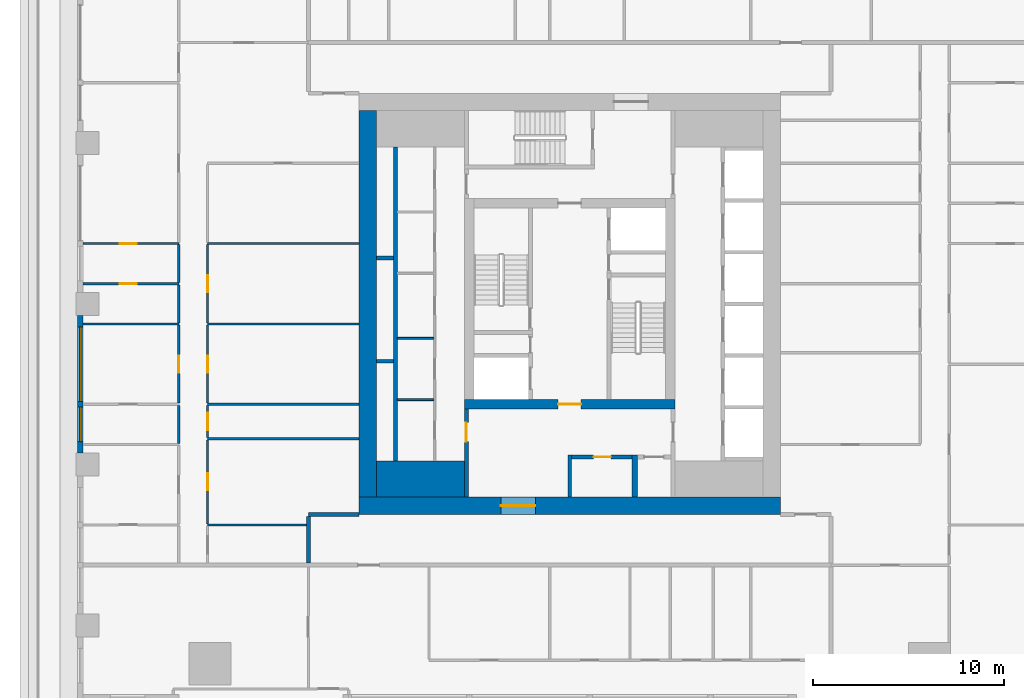
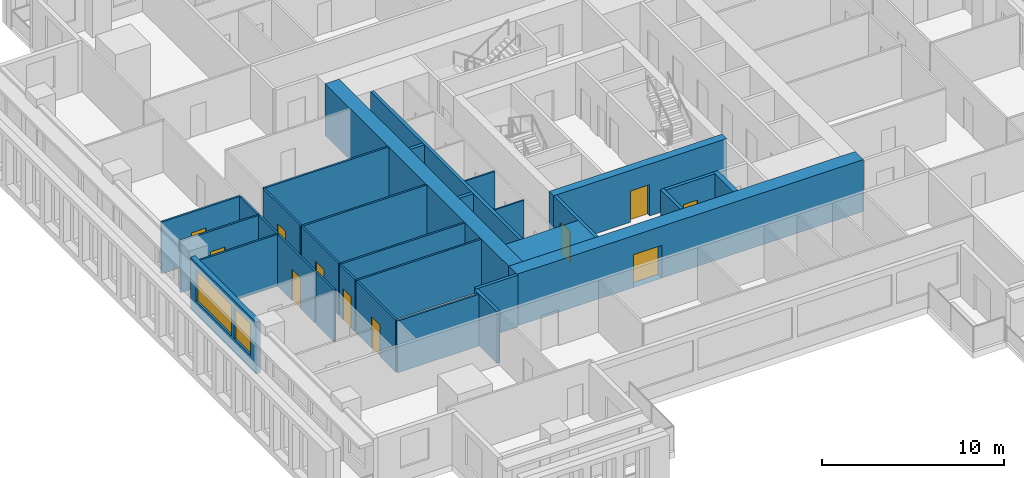
# One storey, part 3 of 14: 32 walls, 11 doors, 2 windows, 13 openings.
"""IFC4 building model written with IfcOpenShell, lengths in metres."""

from ifc_helpers import new_model, si_unit, direction, frame, frame_2d, origin, place, context, subcontext, project, spatial, rectangle, extrude, material, layer, layer_set, type_object, element, fill, save


model = new_model("IFC4")

# Units and contexts
model_context = context("Model", 3, precision=1e-05, world=origin(), true_north=direction((0.0, 1.0)))
body_context = subcontext(model_context, "Body", "Model", "MODEL_VIEW")
ifc_project = project(units=[si_unit("LENGTHUNIT", "METRE"), si_unit("AREAUNIT", "SQUARE_METRE"), si_unit("VOLUMEUNIT", "CUBIC_METRE"), si_unit("PLANEANGLEUNIT", "RADIAN"), si_unit("MASSUNIT", "GRAM", prefix="KILO")], contexts=[model_context])

# Site, building, storey
site_placement = place(None, origin())
site = spatial("IfcSite", under=ifc_project, at=site_placement, CompositionType="ELEMENT")
building_placement = place(site_placement, origin())
building = spatial("IfcBuilding", under=site, at=building_placement, Name="Khepri Terraces", CompositionType="ELEMENT")
storey_placement = place(building_placement, frame((0.0, 0.0, 271.800048828125)))
storey = spatial("IfcBuildingStorey", under=building, at=storey_placement, Name="L65", CompositionType="ELEMENT", Elevation=271.800048828125)

# Walls
ifc_material_1 = material(Name="Concrete C40/50", Category="concrete")
ifc_layer_1 = layer(ifc_material_1, 1.89990234375, Name="Concrete C40/50", Category="concrete")
ifc_layer_set_1 = layer_set([ifc_layer_1], Name="Concrete C40/50")
wall_type_1 = type_object("IfcWallType", Name="Core wall 1900 C40/50", PredefinedType="SHEAR", material=ifc_layer_set_1)
wall_1_placement = place(storey_placement, frame((-10.10009765625, -9.14990234375, 0.0), z_axis=(0.0, 0.0, 1.0), x_axis=(1.0, 0.0, 0.0)))
element("IfcWall", 1, at=wall_1_placement, inside=storey, type_object=wall_type_1, Name="Core wall PR01 L65", PredefinedType="SHEAR", context=body_context, shape_type="SweptSolid", body=[
    extrude(rectangle(XDim=4.60009765625, YDim=1.89990234375, at=frame_2d((2.300048828125, 0.0))), origin(), (0.0, 0.0, 1.0), 3.47998046875),
])
ifc_layer_2 = layer(ifc_material_1, 0.199951171875, Name="Concrete C40/50", Category="concrete")
ifc_layer_set_2 = layer_set([ifc_layer_2], Name="Concrete C40/50")
wall_type_2 = type_object("IfcWallType", Name="Core wall 200 C40/50", PredefinedType="SHEAR", material=ifc_layer_set_2)
wall_2_placement = place(storey_placement, frame((-9.10009765625, -8.199951171875, 0.0), z_axis=(0.0, 0.0, 1.0), x_axis=(0.0, 1.0, 0.0)))
element("IfcWall", 2, at=wall_2_placement, inside=storey, type_object=wall_type_2, Name="Core wall SH01 L65", PredefinedType="SHEAR", context=body_context, shape_type="SweptSolid", body=[
    extrude(rectangle(XDim=16.39990234375, YDim=0.199951171875, at=frame_2d((8.199951171875, 0.0))), origin(), (0.0, 0.0, 1.0), 3.47998046875),
])
for number, where, z_axis, x_axis, name in (
    (3, (-10.10009765625, -3.0, 0.0), (0.0, 0.0, 1.0), (1.0, 0.0, 0.0), "Core wall SH06 L65"),
    (4, (-10.10009765625, 2.39990234375, 0.0), (0.0, 0.0, 1.0), (1.0, 0.0, 0.0), "Core wall SH11 L65"),
):
    element("IfcWall", number, at=place(storey_placement, frame(where, z_axis=z_axis, x_axis=x_axis)), inside=storey, type_object=wall_type_2, Name=name, PredefinedType="SHEAR", context=body_context, shape_type="SweptSolid", body=[
        extrude(rectangle(XDim=0.900146484375, YDim=0.199951171875, at=frame_2d((0.4501953125, 0.0))), origin(), (0.0, 0.0, 1.0), 3.47998046875),
    ])

# Wall, opening, door
ifc_layer_3 = layer(ifc_material_1, 0.5, Name="Concrete C40/50", Category="concrete")
ifc_layer_set_3 = layer_set([ifc_layer_3], Name="Concrete C40/50")
wall_type_3 = type_object("IfcWallType", Name="Core wall 500 C40/50", PredefinedType="SHEAR", material=ifc_layer_set_3)
wall_3_placement = place(storey_placement, frame((-5.5, -5.25, 0.0), z_axis=(0.0, 0.0, 1.0), x_axis=(1.0, 0.0, 0.0)))
wall_3 = element("IfcWall", 5, at=wall_3_placement, inside=storey, type_object=wall_type_3, Name="Core wall BX01 L65", PredefinedType="SHEAR", context=body_context, shape_type="SweptSolid", body=[
    extrude(rectangle(XDim=11.0, YDim=0.5, at=frame_2d((5.5, 0.0))), origin(), (0.0, 0.0, 1.0), 3.47998046875),
])
opening_1_placement = place(wall_3_placement, frame((4.89990234375, 0.0, 0.0)))
opening_1 = element("IfcOpeningElement", 6, at=opening_1_placement, cuts=wall_3, Name="Opening L65-C14", PredefinedType="OPENING", context=body_context, shape_type="SweptSolid", body=[
    extrude(rectangle(XDim=1.199951171875, YDim=2.10009765625, at=frame_2d((0.60009765625, 1.050048828125))), frame((0.0, 0.260009765625, 0.0), z_axis=(0.0, -1.0, 0.0), x_axis=(1.0, 0.0, 0.0)), (0.0, 0.0, 1.0), 0.52001953125),
])
ifc_material_2 = material(Name="Painted steel", Category="steel")
door_type_1 = type_object("IfcDoorType", Name="DR-CORE-FF-LOBBY-1200", OperationType="NOTDEFINED", PredefinedType="DOOR", material=ifc_material_2)
door_1_placement = place(opening_1_placement, origin())
door_1 = element("IfcDoor", 7, at=door_1_placement, inside=storey, type_object=door_type_1, Name="Firefighting lobby door L65-C14", OperationType="SINGLE_SWING_RIGHT", OverallHeight=2.10009765625, OverallWidth=1.199951171875, PredefinedType="DOOR", context=body_context, shape_type="SweptSolid", body=[
    extrude(rectangle(XDim=1.199951171875, YDim=2.10009765625, at=frame_2d((0.60009765625, 1.050048828125))), frame((0.0, 0.02490234375, 0.0), z_axis=(0.0, -1.0, 0.0), x_axis=(1.0, 0.0, 0.0)), (0.0, 0.0, 1.0), 0.050048828125),
])
fill(opening_1, door_1)

ifc_layer_4 = layer(ifc_material_1, 0.89990234375, Name="Concrete C40/50", Category="concrete")
ifc_layer_set_4 = layer_set([ifc_layer_4], Name="Concrete C40/50")
wall_type_4 = type_object("IfcWallType", Name="Core wall 900 C40/50", PredefinedType="SHEAR", material=ifc_layer_set_4)
wall_4_placement = place(storey_placement, frame((-11.0, -10.550048828125, 0.0), z_axis=(0.0, 0.0, 1.0), x_axis=(1.0, 0.0, 0.0)))
wall_4 = element("IfcWall", 8, at=wall_4_placement, inside=storey, type_object=wall_type_4, Name="Core wall OW-S L65", PredefinedType="SHEAR", context=body_context, shape_type="SweptSolid", body=[
    extrude(rectangle(XDim=22.0, YDim=0.89990234375, at=frame_2d((11.0, 0.0))), origin(), (0.0, 0.0, 1.0), 3.47998046875),
])
opening_2_placement = place(wall_4_placement, frame((7.39990234375, 0.0, 0.0)))
opening_2 = element("IfcOpeningElement", 9, at=opening_2_placement, cuts=wall_4, Name="Opening L65-C21", PredefinedType="OPENING", context=body_context, shape_type="SweptSolid", body=[
    extrude(rectangle(XDim=1.800048828125, YDim=2.199951171875, at=frame_2d((0.89990234375, 1.10009765625))), frame((0.0, 0.4599609375, 0.0), z_axis=(0.0, -1.0, 0.0), x_axis=(1.0, 0.0, 0.0)), (0.0, 0.0, 1.0), 0.919921875),
])
door_type_2 = type_object("IfcDoorType", Name="DR-CORE-ENTRANCE-1800", OperationType="NOTDEFINED", PredefinedType="DOOR", material=ifc_material_2)
door_2_placement = place(opening_2_placement, frame((1.800048828125, 0.0, 0.0), z_axis=(0.0, 0.0, 1.0), x_axis=(-1.0, 0.0, 0.0)))
door_2 = element("IfcDoor", 10, at=door_2_placement, inside=storey, type_object=door_type_2, Name="Core entrance door pair L65-C21", OperationType="DOUBLE_DOOR_SINGLE_SWING", OverallHeight=2.199951171875, OverallWidth=1.800048828125, PredefinedType="DOOR", context=body_context, shape_type="SweptSolid", body=[
    extrude(rectangle(XDim=1.800048828125, YDim=2.199951171875, at=frame_2d((0.89990234375, 1.10009765625))), frame((0.0, 0.02490234375, 0.0), z_axis=(0.0, -1.0, 0.0), x_axis=(1.0, 0.0, 0.0)), (0.0, 0.0, 1.0), 0.050048828125),
])
fill(opening_2, door_2)

# Walls
wall_5_placement = place(storey_placement, frame((-10.550048828125, -10.10009765625, 0.0), z_axis=(0.0, 0.0, 1.0), x_axis=(0.0, 1.0, 0.0)))
element("IfcWall", 11, at=wall_5_placement, inside=storey, type_object=wall_type_4, Name="Core wall OW-W L65", PredefinedType="SHEAR", context=body_context, shape_type="SweptSolid", body=[
    extrude(rectangle(XDim=20.2001953125, YDim=0.89990234375, at=frame_2d((10.10009765625, 0.0))), origin(), (0.0, 0.0, 1.0), 3.47998046875),
])
ifc_material_3 = material(Name="Fire-rated gypsum board partition")
ifc_layer_5 = layer(ifc_material_3, 0.10009765625, Name="Fire-rated gypsum board partition")
ifc_layer_set_5 = layer_set([ifc_layer_5], Name="Fire-rated gypsum board partition")
wall_type_5 = type_object("IfcWallType", Name="WL-CORE-PART-100", PredefinedType="PARTITIONING", material=ifc_layer_set_5)
for number, where, z_axis, x_axis, name in (
    (12, (-9.0, -5.0, 0.0), (0.0, 0.0, 1.0), (1.0, 0.0, 0.0), "Core partition PT08 L65"),
    (13, (-9.0, -1.800048828125, 0.0), (0.0, 0.0, 1.0), (1.0, 0.0, 0.0), "Core partition PT09 L65"),
):
    element("IfcWall", number, at=place(storey_placement, frame(where, z_axis=z_axis, x_axis=x_axis)), inside=storey, type_object=wall_type_5, Name=name, PredefinedType="PARTITIONING", context=body_context, shape_type="SweptSolid", body=[
        extrude(rectangle(XDim=1.89990234375, YDim=0.10009765625, at=frame_2d((0.949951171875, 0.0))), origin(), (0.0, 0.0, 1.0), 3.47998046875),
    ])

# Wall, opening, door
ifc_layer_6 = layer(ifc_material_3, 0.199951171875, Name="Fire-rated gypsum board partition")
ifc_layer_set_6 = layer_set([ifc_layer_6], Name="Fire-rated gypsum board partition")
wall_type_6 = type_object("IfcWallType", Name="WL-CORE-PART-200", PredefinedType="PARTITIONING", material=ifc_layer_set_6)
wall_6_placement = place(storey_placement, frame((-5.39990234375, -10.10009765625, 0.0), z_axis=(0.0, 0.0, 1.0), x_axis=(0.0, 1.0, 0.0)))
wall_6 = element("IfcWall", 14, at=wall_6_placement, inside=storey, type_object=wall_type_6, Name="Core partition PT01 L65", PredefinedType="PARTITIONING", context=body_context, shape_type="SweptSolid", body=[
    extrude(rectangle(XDim=4.60009765625, YDim=0.199951171875, at=frame_2d((2.300048828125, 0.0))), origin(), (0.0, 0.0, 1.0), 3.47998046875),
])
opening_3_placement = place(wall_6_placement, frame((2.89990234375, 0.0, 0.0)))
opening_3 = element("IfcOpeningElement", 15, at=opening_3_placement, cuts=wall_6, Name="Opening L65-C18", PredefinedType="OPENING", context=body_context, shape_type="SweptSolid", body=[
    extrude(rectangle(XDim=1.0, YDim=2.10009765625, at=frame_2d((0.5, 1.050048828125))), frame((0.0, 0.10986328125, 0.0), z_axis=(0.0, -1.0, 0.0), x_axis=(1.0, 0.0, 0.0)), (0.0, 0.0, 1.0), 0.219970703125),
])
door_type_3 = type_object("IfcDoorType", Name="DR-CORE-LOBBY-1000", OperationType="NOTDEFINED", PredefinedType="DOOR", material=ifc_material_2)
door_3_placement = place(opening_3_placement, frame((1.0, 0.0, 0.0), z_axis=(0.0, 0.0, 1.0), x_axis=(-1.0, 0.0, 0.0)))
door_3 = element("IfcDoor", 16, at=door_3_placement, inside=storey, type_object=door_type_3, Name="Lobby door L65-C18", OperationType="SINGLE_SWING_LEFT", OverallHeight=2.10009765625, OverallWidth=1.0, PredefinedType="DOOR", context=body_context, shape_type="SweptSolid", body=[
    extrude(rectangle(XDim=1.0, YDim=2.10009765625, at=frame_2d((0.5, 1.050048828125))), frame((0.0, 0.02490234375, 0.0), z_axis=(0.0, -1.0, 0.0), x_axis=(1.0, 0.0, 0.0)), (0.0, 0.0, 1.0), 0.050048828125),
])
fill(opening_3, door_3)

# Wall
wall_7_placement = place(storey_placement, frame((0.0, -10.10009765625, 0.0), z_axis=(0.0, 0.0, 1.0), x_axis=(0.0, 1.0, 0.0)))
element("IfcWall", 17, at=wall_7_placement, inside=storey, type_object=wall_type_6, Name="Core partition PT02 L65", PredefinedType="PARTITIONING", context=body_context, shape_type="SweptSolid", body=[
    extrude(rectangle(XDim=2.2001953125, YDim=0.199951171875, at=frame_2d((1.10009765625, 0.0))), origin(), (0.0, 0.0, 1.0), 3.47998046875),
])

# Wall, opening, door
wall_8_placement = place(storey_placement, frame((0.10009765625, -8.0, 0.0), z_axis=(0.0, 0.0, 1.0), x_axis=(1.0, 0.0, 0.0)))
wall_8 = element("IfcWall", 18, at=wall_8_placement, inside=storey, type_object=wall_type_6, Name="Core partition PT06 L65", PredefinedType="PARTITIONING", context=body_context, shape_type="SweptSolid", body=[
    extrude(rectangle(XDim=3.14990234375, YDim=0.199951171875, at=frame_2d((1.574951171875, 0.0))), origin(), (0.0, 0.0, 1.0), 3.47998046875),
])
opening_4_placement = place(wall_8_placement, frame((1.14990234375, 0.0, 0.0)))
opening_4 = element("IfcOpeningElement", 19, at=opening_4_placement, cuts=wall_8, Name="Opening L65-C22", PredefinedType="OPENING", context=body_context, shape_type="SweptSolid", body=[
    extrude(rectangle(XDim=0.89990234375, YDim=2.10009765625, at=frame_2d((0.449951171875, 1.050048828125))), frame((0.0, 0.10986328125, 0.0), z_axis=(0.0, -1.0, 0.0), x_axis=(1.0, 0.0, 0.0)), (0.0, 0.0, 1.0), 0.219970703125),
])
door_type_4 = type_object("IfcDoorType", Name="DR-CORE-SERVICE-900", OperationType="NOTDEFINED", PredefinedType="DOOR", material=ifc_material_2)
door_4_placement = place(opening_4_placement, frame((0.89990234375, 0.0, 0.0), z_axis=(0.0, 0.0, 1.0), x_axis=(-1.0, 0.0, 0.0)))
door_4 = element("IfcDoor", 20, at=door_4_placement, inside=storey, type_object=door_type_4, Name="Service room door L65-C22", OperationType="SINGLE_SWING_LEFT", OverallHeight=2.10009765625, OverallWidth=0.89990234375, PredefinedType="DOOR", context=body_context, shape_type="SweptSolid", body=[
    extrude(rectangle(XDim=0.89990234375, YDim=2.10009765625, at=frame_2d((0.449951171875, 1.050048828125))), frame((0.0, 0.02490234375, 0.0), z_axis=(0.0, -1.0, 0.0), x_axis=(1.0, 0.0, 0.0)), (0.0, 0.0, 1.0), 0.050048828125),
])
fill(opening_4, door_4)

# Walls
ifc_layer_7 = layer(ifc_material_3, 0.300048828125, Name="Fire-rated gypsum board partition")
ifc_layer_set_7 = layer_set([ifc_layer_7], Name="Fire-rated gypsum board partition")
wall_type_7 = type_object("IfcWallType", Name="WL-CORE-PART-300", PredefinedType="PARTITIONING", material=ifc_layer_set_7)
wall_9_placement = place(storey_placement, frame((3.39990234375, -10.10009765625, 0.0), z_axis=(0.0, 0.0, 1.0), x_axis=(0.0, 1.0, 0.0)))
element("IfcWall", 21, at=wall_9_placement, inside=storey, type_object=wall_type_7, Name="Core partition PT03 L65", PredefinedType="PARTITIONING", context=body_context, shape_type="SweptSolid", body=[
    extrude(rectangle(XDim=2.2001953125, YDim=0.300048828125, at=frame_2d((1.10009765625, 0.0))), origin(), (0.0, 0.0, 1.0), 3.47998046875),
])
ifc_material_4 = material(Name="Fire-rated gypsum plasterboard partition, mineral wool")
ifc_layer_8 = layer(ifc_material_4, 0.199951171875, Name="Fire-rated gypsum plasterboard partition, mineral wool")
ifc_layer_set_8 = layer_set([ifc_layer_8], Name="Fire-rated gypsum plasterboard partition, mineral wool")
wall_type_8 = type_object("IfcWallType", Name="WL-CORR-200", PredefinedType="PARTITIONING", material=ifc_layer_set_8)
wall_10_placement = place(storey_placement, frame((-13.64990234375, -13.550048828125, 0.0), z_axis=(0.0, 0.0, 1.0), x_axis=(0.0, 1.0, 0.0)))
element("IfcWall", 22, at=wall_10_placement, inside=storey, type_object=wall_type_8, Name="Partition P-021 L65", PredefinedType="PARTITIONING", context=body_context, shape_type="SweptSolid", body=[
    extrude(rectangle(XDim=2.449951171875, YDim=0.199951171875, at=frame_2d((1.22509765625, 0.0))), origin(), (0.0, 0.0, 1.0), 3.47998046875),
])
wall_11_placement = place(storey_placement, frame((-13.64990234375, -11.0, 0.0), z_axis=(0.0, 0.0, 1.0), x_axis=(1.0, 0.0, 0.0)))
element("IfcWall", 23, at=wall_11_placement, inside=storey, type_object=wall_type_8, Name="Partition P-029 L65", PredefinedType="PARTITIONING", context=body_context, shape_type="SweptSolid", body=[
    extrude(rectangle(XDim=2.64990234375, YDim=0.199951171875, at=frame_2d((1.324951171875, 0.0))), origin(), (0.0, 0.0, 1.0), 3.47998046875),
])

# Wall, openings, windows
ifc_material_5 = material(Name="Precast concrete C50/60 warm stone", Category="masonry")
ifc_layer_9 = layer(ifc_material_5, 0.300048828125, Name="Precast concrete C50/60 warm stone", Category="masonry")
ifc_layer_set_9 = layer_set([ifc_layer_9], Name="Precast concrete C50/60 warm stone")
wall_type_9 = type_object("IfcWallType", Name="WL-EXT-PRECAST-300", PredefinedType="STANDARD", material=ifc_layer_set_9)
wall_12_placement = place(storey_placement, frame((-25.570068359375, -0.60009765625, 0.0), z_axis=(0.0, 0.0, 1.0), x_axis=(0.0, -1.0, 0.0)))
wall_12 = element("IfcWall", 24, at=wall_12_placement, inside=storey, type_object=wall_type_9, Name="External wall L65 W", PredefinedType="STANDARD", context=body_context, shape_type="SweptSolid", body=[
    extrude(rectangle(XDim=7.199951171875, YDim=0.300048828125, at=frame_2d((3.60009765625, 0.0))), origin(), (0.0, 0.0, 1.0), 3.47998046875),
])
opening_5_placement = place(wall_12_placement, frame((0.60009765625, 0.0, 0.89990234375)))
opening_5 = element("IfcOpeningElement", 25, at=opening_5_placement, cuts=wall_12, Name="Opening W2", PredefinedType="OPENING", context=body_context, shape_type="SweptSolid", body=[
    extrude(rectangle(XDim=3.89990234375, YDim=2.10009765625, at=frame_2d((1.949951171875, 1.050048828125))), frame((0.0, 0.16015625, 0.0), z_axis=(0.0, -1.0, 0.0), x_axis=(1.0, 0.0, 0.0)), (0.0, 0.0, 1.0), 0.320068359375),
])
opening_6_placement = place(wall_12_placement, frame((4.800048828125, 0.0, 0.89990234375)))
opening_6 = element("IfcOpeningElement", 26, at=opening_6_placement, cuts=wall_12, Name="Opening W1", PredefinedType="OPENING", context=body_context, shape_type="SweptSolid", body=[
    extrude(rectangle(XDim=1.800048828125, YDim=2.10009765625, at=frame_2d((0.89990234375, 1.050048828125))), frame((0.0, 0.16015625, 0.0), z_axis=(0.0, -1.0, 0.0), x_axis=(1.0, 0.0, 0.0)), (0.0, 0.0, 1.0), 0.320068359375),
])
ifc_material_6 = material(Name="Clear glass", Category="glass")
window_type_1 = type_object("IfcWindowType", Name="WIN-RES-1800x2100", PartitioningType="SINGLE_PANEL", PredefinedType="WINDOW", material=ifc_material_6)
window_1_placement = place(opening_6_placement, origin())
window_1 = element("IfcWindow", 27, at=window_1_placement, inside=storey, type_object=window_type_1, Name="Window L65 W", OverallHeight=2.10009765625, OverallWidth=1.800048828125, PartitioningType="SINGLE_PANEL", PredefinedType="WINDOW", context=body_context, shape_type="SweptSolid", body=[
    extrude(rectangle(XDim=1.800048828125, YDim=2.10009765625, at=frame_2d((0.89990234375, 1.050048828125))), frame((0.0, 0.030029296875, 0.0), z_axis=(0.0, -1.0, 0.0), x_axis=(1.0, 0.0, 0.0)), (0.0, 0.0, 1.0), 0.06005859375),
])
fill(opening_6, window_1)
window_type_2 = type_object("IfcWindowType", Name="WIN-RES-3900x2100", PartitioningType="SINGLE_PANEL", PredefinedType="WINDOW", material=ifc_material_6)
window_2_placement = place(opening_5_placement, origin())
window_2 = element("IfcWindow", 28, at=window_2_placement, inside=storey, type_object=window_type_2, Name="Window L65 W", OverallHeight=2.10009765625, OverallWidth=3.89990234375, PartitioningType="SINGLE_PANEL", PredefinedType="WINDOW", context=body_context, shape_type="SweptSolid", body=[
    extrude(rectangle(XDim=3.89990234375, YDim=2.10009765625, at=frame_2d((1.949951171875, 1.050048828125))), frame((0.0, 0.030029296875, 0.0), z_axis=(0.0, -1.0, 0.0), x_axis=(1.0, 0.0, 0.0)), (0.0, 0.0, 1.0), 0.06005859375),
])
fill(opening_5, window_2)

# Wall
ifc_material_7 = material(Name="Gypsum plasterboard partition")
ifc_layer_10 = layer(ifc_material_7, 0.1201171875, Name="Gypsum plasterboard partition")
ifc_layer_set_10 = layer_set([ifc_layer_10], Name="Gypsum plasterboard partition")
wall_type_10 = type_object("IfcWallType", Name="WL-PART-120", PredefinedType="PARTITIONING", material=ifc_layer_set_10)
wall_13_placement = place(storey_placement, frame((-18.919921875, -11.550048828125, 0.0), z_axis=(0.0, 0.0, 1.0), x_axis=(1.0, 0.0, 0.0)))
element("IfcWall", 29, at=wall_13_placement, inside=storey, type_object=wall_type_10, Name="Partition P-024 L65", PredefinedType="PARTITIONING", context=body_context, shape_type="SweptSolid", body=[
    extrude(rectangle(XDim=5.169921875, YDim=0.1201171875, at=frame_2d((2.5849609375, 0.0))), origin(), (0.0, 0.0, 1.0), 3.47998046875),
])

# Wall, opening, door
wall_14_placement = place(storey_placement, frame((-18.919921875, -11.489990234375, 0.0), z_axis=(0.0, 0.0, 1.0), x_axis=(0.0, 1.0, 0.0)))
wall_14 = element("IfcWall", 30, at=wall_14_placement, inside=storey, type_object=wall_type_10, Name="Partition P-027 L65", PredefinedType="PARTITIONING", context=body_context, shape_type="SweptSolid", body=[
    extrude(rectangle(XDim=4.3798828125, YDim=0.1201171875, at=frame_2d((2.18994140625, 0.0))), origin(), (0.0, 0.0, 1.0), 3.47998046875),
])
opening_7_placement = place(wall_14_placement, frame((1.739990234375, 0.0, 0.0)))
opening_7 = element("IfcOpeningElement", 31, at=opening_7_placement, cuts=wall_14, Name="Opening D3", PredefinedType="OPENING", context=body_context, shape_type="SweptSolid", body=[
    extrude(rectangle(XDim=0.89990234375, YDim=2.10009765625, at=frame_2d((0.449951171875, 1.050048828125))), frame((0.0, 0.070068359375, 0.0), z_axis=(0.0, -1.0, 0.0), x_axis=(1.0, 0.0, 0.0)), (0.0, 0.0, 1.0), 0.14013671875),
])
ifc_material_8 = material(Name="Timber door leaf", Category="wood")
door_type_5 = type_object("IfcDoorType", Name="DR-INT-900", OperationType="NOTDEFINED", PredefinedType="DOOR", material=ifc_material_8)
door_5_placement = place(opening_7_placement, frame((0.89990234375, 0.0, 0.0), z_axis=(0.0, 0.0, 1.0), x_axis=(-1.0, 0.0, 0.0)))
door_5 = element("IfcDoor", 32, at=door_5_placement, inside=storey, type_object=door_type_5, Name="Door Utility Room", OperationType="SINGLE_SWING_RIGHT", OverallHeight=2.10009765625, OverallWidth=0.89990234375, PredefinedType="DOOR", context=body_context, shape_type="SweptSolid", body=[
    extrude(rectangle(XDim=0.89990234375, YDim=2.10009765625, at=frame_2d((0.449951171875, 1.050048828125))), frame((0.0, 0.02490234375, 0.0), z_axis=(0.0, -1.0, 0.0), x_axis=(1.0, 0.0, 0.0)), (0.0, 0.0, 1.0), 0.050048828125),
])
fill(opening_7, door_5)

# Walls
wall_15_placement = place(storey_placement, frame((-20.419921875, -7.2900390625, 0.0), z_axis=(0.0, 0.0, 1.0), x_axis=(0.0, 1.0, 0.0)))
element("IfcWall", 33, at=wall_15_placement, inside=storey, type_object=wall_type_10, Name="Partition P-033 L65", PredefinedType="PARTITIONING", context=body_context, shape_type="SweptSolid", body=[
    extrude(rectangle(XDim=1.97998046875, YDim=0.1201171875, at=frame_2d((0.989990234375, 0.0))), origin(), (0.0, 0.0, 1.0), 3.47998046875),
])
wall_16_placement = place(storey_placement, frame((-18.919921875, -7.050048828125, 0.0), z_axis=(0.0, 0.0, 1.0), x_axis=(1.0, 0.0, 0.0)))
element("IfcWall", 34, at=wall_16_placement, inside=storey, type_object=wall_type_10, Name="Partition P-035 L65", PredefinedType="PARTITIONING", context=body_context, shape_type="SweptSolid", body=[
    extrude(rectangle(XDim=7.919921875, YDim=0.1201171875, at=frame_2d((3.9599609375, 0.0))), origin(), (0.0, 0.0, 1.0), 3.47998046875),
])

# Wall, opening, door
wall_17_placement = place(storey_placement, frame((-18.919921875, -6.989990234375, 0.0), z_axis=(0.0, 0.0, 1.0), x_axis=(0.0, 1.0, 0.0)))
wall_17 = element("IfcWall", 35, at=wall_17_placement, inside=storey, type_object=wall_type_10, Name="Partition P-036 L65", PredefinedType="PARTITIONING", context=body_context, shape_type="SweptSolid", body=[
    extrude(rectangle(XDim=1.679931640625, YDim=0.1201171875, at=frame_2d((0.83984375, 0.0))), origin(), (0.0, 0.0, 1.0), 3.47998046875),
])
opening_8_placement = place(wall_17_placement, frame((0.389892578125, 0.0, 0.0)))
opening_8 = element("IfcOpeningElement", 36, at=opening_8_placement, cuts=wall_17, Name="Opening D4", PredefinedType="OPENING", context=body_context, shape_type="SweptSolid", body=[
    extrude(rectangle(XDim=0.89990234375, YDim=2.10009765625, at=frame_2d((0.449951171875, 1.050048828125))), frame((0.0, 0.070068359375, 0.0), z_axis=(0.0, -1.0, 0.0), x_axis=(1.0, 0.0, 0.0)), (0.0, 0.0, 1.0), 0.14013671875),
])
ifc_material_9 = material(Name="Timber door leaf, moisture resistant", Category="wood")
door_type_6 = type_object("IfcDoorType", Name="DR-WET-900", OperationType="NOTDEFINED", PredefinedType="DOOR", material=ifc_material_9)
door_6_placement = place(opening_8_placement, frame((0.89990234375, 0.0, 0.0), z_axis=(0.0, 0.0, 1.0), x_axis=(-1.0, 0.0, 0.0)))
door_6 = element("IfcDoor", 37, at=door_6_placement, inside=storey, type_object=door_type_6, Name="Door Guest Bathroom", OperationType="SINGLE_SWING_RIGHT", OverallHeight=2.10009765625, OverallWidth=0.89990234375, PredefinedType="DOOR", context=body_context, shape_type="SweptSolid", body=[
    extrude(rectangle(XDim=0.89990234375, YDim=2.10009765625, at=frame_2d((0.449951171875, 1.050048828125))), frame((0.0, 0.02490234375, 0.0), z_axis=(0.0, -1.0, 0.0), x_axis=(1.0, 0.0, 0.0)), (0.0, 0.0, 1.0), 0.050048828125),
])
fill(opening_8, door_6)

# Wall
wall_18_placement = place(storey_placement, frame((-18.919921875, -5.25, 0.0), z_axis=(0.0, 0.0, 1.0), x_axis=(1.0, 0.0, 0.0)))
element("IfcWall", 38, at=wall_18_placement, inside=storey, type_object=wall_type_10, Name="Partition P-038 L65", PredefinedType="PARTITIONING", context=body_context, shape_type="SweptSolid", body=[
    extrude(rectangle(XDim=7.919921875, YDim=0.1201171875, at=frame_2d((3.9599609375, 0.0))), origin(), (0.0, 0.0, 1.0), 3.47998046875),
])

# Wall, opening, door
wall_19_placement = place(storey_placement, frame((-20.419921875, -5.18994140625, 0.0), z_axis=(0.0, 0.0, 1.0), x_axis=(0.0, 1.0, 0.0)))
wall_19 = element("IfcWall", 39, at=wall_19_placement, inside=storey, type_object=wall_type_10, Name="Partition P-039 L65", PredefinedType="PARTITIONING", context=body_context, shape_type="SweptSolid", body=[
    extrude(rectangle(XDim=4.079833984375, YDim=0.1201171875, at=frame_2d((2.0400390625, 0.0))), origin(), (0.0, 0.0, 1.0), 3.47998046875),
])
opening_9_placement = place(wall_19_placement, frame((1.590087890625, 0.0, 0.0)))
opening_9 = element("IfcOpeningElement", 40, at=opening_9_placement, cuts=wall_19, Name="Opening D3", PredefinedType="OPENING", context=body_context, shape_type="SweptSolid", body=[
    extrude(rectangle(XDim=0.89990234375, YDim=2.10009765625, at=frame_2d((0.449951171875, 1.050048828125))), frame((0.0, 0.070068359375, 0.0), z_axis=(0.0, -1.0, 0.0), x_axis=(1.0, 0.0, 0.0)), (0.0, 0.0, 1.0), 0.14013671875),
])
door_7_placement = place(opening_9_placement, origin())
door_7 = element("IfcDoor", 41, at=door_7_placement, inside=storey, type_object=door_type_5, Name="Door Bedroom", OperationType="SINGLE_SWING_RIGHT", OverallHeight=2.10009765625, OverallWidth=0.89990234375, PredefinedType="DOOR", context=body_context, shape_type="SweptSolid", body=[
    extrude(rectangle(XDim=0.89990234375, YDim=2.10009765625, at=frame_2d((0.449951171875, 1.050048828125))), frame((0.0, 0.02490234375, 0.0), z_axis=(0.0, -1.0, 0.0), x_axis=(1.0, 0.0, 0.0)), (0.0, 0.0, 1.0), 0.050048828125),
])
fill(opening_9, door_7)

wall_20_placement = place(storey_placement, frame((-18.919921875, -5.18994140625, 0.0), z_axis=(0.0, 0.0, 1.0), x_axis=(0.0, 1.0, 0.0)))
wall_20 = element("IfcWall", 42, at=wall_20_placement, inside=storey, type_object=wall_type_10, Name="Partition P-040 L65", PredefinedType="PARTITIONING", context=body_context, shape_type="SweptSolid", body=[
    extrude(rectangle(XDim=4.079833984375, YDim=0.1201171875, at=frame_2d((2.0400390625, 0.0))), origin(), (0.0, 0.0, 1.0), 3.47998046875),
])
opening_10_placement = place(wall_20_placement, frame((1.590087890625, 0.0, 0.0)))
opening_10 = element("IfcOpeningElement", 43, at=opening_10_placement, cuts=wall_20, Name="Opening D3", PredefinedType="OPENING", context=body_context, shape_type="SweptSolid", body=[
    extrude(rectangle(XDim=0.89990234375, YDim=2.10009765625, at=frame_2d((0.449951171875, 1.050048828125))), frame((0.0, 0.070068359375, 0.0), z_axis=(0.0, -1.0, 0.0), x_axis=(1.0, 0.0, 0.0)), (0.0, 0.0, 1.0), 0.14013671875),
])
door_8_placement = place(opening_10_placement, frame((0.89990234375, 0.0, 0.0), z_axis=(0.0, 0.0, 1.0), x_axis=(-1.0, 0.0, 0.0)))
door_8 = element("IfcDoor", 44, at=door_8_placement, inside=storey, type_object=door_type_5, Name="Door Staff Bedroom", OperationType="SINGLE_SWING_LEFT", OverallHeight=2.10009765625, OverallWidth=0.89990234375, PredefinedType="DOOR", context=body_context, shape_type="SweptSolid", body=[
    extrude(rectangle(XDim=0.89990234375, YDim=2.10009765625, at=frame_2d((0.449951171875, 1.050048828125))), frame((0.0, 0.02490234375, 0.0), z_axis=(0.0, -1.0, 0.0), x_axis=(1.0, 0.0, 0.0)), (0.0, 0.0, 1.0), 0.050048828125),
])
fill(opening_10, door_8)

# Walls
wall_21_placement = place(storey_placement, frame((-25.419921875, -1.050048828125, 0.0), z_axis=(0.0, 0.0, 1.0), x_axis=(1.0, 0.0, 0.0)))
element("IfcWall", 45, at=wall_21_placement, inside=storey, type_object=wall_type_10, Name="Partition P-045 L65", PredefinedType="PARTITIONING", context=body_context, shape_type="SweptSolid", body=[
    extrude(rectangle(XDim=5.0, YDim=0.1201171875, at=frame_2d((2.5, 0.0))), origin(), (0.0, 0.0, 1.0), 3.47998046875),
])
wall_22_placement = place(storey_placement, frame((-18.919921875, -1.050048828125, 0.0), z_axis=(0.0, 0.0, 1.0), x_axis=(1.0, 0.0, 0.0)))
element("IfcWall", 46, at=wall_22_placement, inside=storey, type_object=wall_type_10, Name="Partition P-046 L65", PredefinedType="PARTITIONING", context=body_context, shape_type="SweptSolid", body=[
    extrude(rectangle(XDim=7.919921875, YDim=0.1201171875, at=frame_2d((3.9599609375, 0.0))), origin(), (0.0, 0.0, 1.0), 3.47998046875),
])
wall_23_placement = place(storey_placement, frame((-20.419921875, -0.989990234375, 0.0), z_axis=(0.0, 0.0, 1.0), x_axis=(0.0, 1.0, 0.0)))
element("IfcWall", 47, at=wall_23_placement, inside=storey, type_object=wall_type_10, Name="Partition P-047 L65", PredefinedType="PARTITIONING", context=body_context, shape_type="SweptSolid", body=[
    extrude(rectangle(XDim=1.97998046875, YDim=0.1201171875, at=frame_2d((0.989990234375, 0.0))), origin(), (0.0, 0.0, 1.0), 3.47998046875),
])

# Wall, opening, door
wall_24_placement = place(storey_placement, frame((-18.919921875, -0.989990234375, 0.0), z_axis=(0.0, 0.0, 1.0), x_axis=(0.0, 1.0, 0.0)))
wall_24 = element("IfcWall", 48, at=wall_24_placement, inside=storey, type_object=wall_type_10, Name="Partition P-048 L65", PredefinedType="PARTITIONING", context=body_context, shape_type="SweptSolid", body=[
    extrude(rectangle(XDim=4.080078125, YDim=0.1201171875, at=frame_2d((2.0400390625, 0.0))), origin(), (0.0, 0.0, 1.0), 3.47998046875),
])
opening_11_placement = place(wall_24_placement, frame((1.590087890625, 0.0, 0.0)))
opening_11 = element("IfcOpeningElement", 49, at=opening_11_placement, cuts=wall_24, Name="Opening D3", PredefinedType="OPENING", context=body_context, shape_type="SweptSolid", body=[
    extrude(rectangle(XDim=0.89990234375, YDim=2.10009765625, at=frame_2d((0.449951171875, 1.050048828125))), frame((0.0, 0.070068359375, 0.0), z_axis=(0.0, -1.0, 0.0), x_axis=(1.0, 0.0, 0.0)), (0.0, 0.0, 1.0), 0.14013671875),
])
door_9_placement = place(opening_11_placement, frame((0.89990234375, 0.0, 0.0), z_axis=(0.0, 0.0, 1.0), x_axis=(-1.0, 0.0, 0.0)))
door_9 = element("IfcDoor", 50, at=door_9_placement, inside=storey, type_object=door_type_5, Name="Door Service Store", OperationType="SINGLE_SWING_LEFT", OverallHeight=2.10009765625, OverallWidth=0.89990234375, PredefinedType="DOOR", context=body_context, shape_type="SweptSolid", body=[
    extrude(rectangle(XDim=0.89990234375, YDim=2.10009765625, at=frame_2d((0.449951171875, 1.050048828125))), frame((0.0, 0.02490234375, 0.0), z_axis=(0.0, -1.0, 0.0), x_axis=(1.0, 0.0, 0.0)), (0.0, 0.0, 1.0), 0.050048828125),
])
fill(opening_11, door_9)

wall_25_placement = place(storey_placement, frame((-25.419921875, 1.050048828125, 0.0), z_axis=(0.0, 0.0, 1.0), x_axis=(1.0, 0.0, 0.0)))
wall_25 = element("IfcWall", 51, at=wall_25_placement, inside=storey, type_object=wall_type_10, Name="Partition P-049 L65", PredefinedType="PARTITIONING", context=body_context, shape_type="SweptSolid", body=[
    extrude(rectangle(XDim=5.0, YDim=0.1201171875, at=frame_2d((2.5, 0.0))), origin(), (0.0, 0.0, 1.0), 3.47998046875),
])
opening_12_placement = place(wall_25_placement, frame((1.89990234375, 0.0, 0.0)))
opening_12 = element("IfcOpeningElement", 52, at=opening_12_placement, cuts=wall_25, Name="Opening D4", PredefinedType="OPENING", context=body_context, shape_type="SweptSolid", body=[
    extrude(rectangle(XDim=0.89990234375, YDim=2.10009765625, at=frame_2d((0.449951171875, 1.050048828125))), frame((0.0, 0.070068359375, 0.0), z_axis=(0.0, -1.0, 0.0), x_axis=(1.0, 0.0, 0.0)), (0.0, 0.0, 1.0), 0.14013671875),
])
door_10_placement = place(opening_12_placement, frame((0.89990234375, 0.0, 0.0), z_axis=(0.0, 0.0, 1.0), x_axis=(-1.0, 0.0, 0.0)))
door_10 = element("IfcDoor", 53, at=door_10_placement, inside=storey, type_object=door_type_6, Name="Door Bathroom", OperationType="SINGLE_SWING_RIGHT", OverallHeight=2.10009765625, OverallWidth=0.89990234375, PredefinedType="DOOR", context=body_context, shape_type="SweptSolid", body=[
    extrude(rectangle(XDim=0.89990234375, YDim=2.10009765625, at=frame_2d((0.449951171875, 1.050048828125))), frame((0.0, 0.02490234375, 0.0), z_axis=(0.0, -1.0, 0.0), x_axis=(1.0, 0.0, 0.0)), (0.0, 0.0, 1.0), 0.050048828125),
])
fill(opening_12, door_10)

# Wall
wall_26_placement = place(storey_placement, frame((-20.419921875, 1.110107421875, 0.0), z_axis=(0.0, 0.0, 1.0), x_axis=(0.0, 1.0, 0.0)))
element("IfcWall", 54, at=wall_26_placement, inside=storey, type_object=wall_type_10, Name="Partition P-051 L65", PredefinedType="PARTITIONING", context=body_context, shape_type="SweptSolid", body=[
    extrude(rectangle(XDim=1.97998046875, YDim=0.1201171875, at=frame_2d((0.989990234375, 0.0))), origin(), (0.0, 0.0, 1.0), 3.47998046875),
])

# Wall, opening, door
wall_27_placement = place(storey_placement, frame((-25.419921875, 3.14990234375, 0.0), z_axis=(0.0, 0.0, 1.0), x_axis=(1.0, 0.0, 0.0)))
wall_27 = element("IfcWall", 55, at=wall_27_placement, inside=storey, type_object=wall_type_10, Name="Partition P-053 L65", PredefinedType="PARTITIONING", context=body_context, shape_type="SweptSolid", body=[
    extrude(rectangle(XDim=5.0, YDim=0.1201171875, at=frame_2d((2.5, 0.0))), origin(), (0.0, 0.0, 1.0), 3.47998046875),
])
opening_13_placement = place(wall_27_placement, frame((1.89990234375, 0.0, 0.0)))
opening_13 = element("IfcOpeningElement", 56, at=opening_13_placement, cuts=wall_27, Name="Opening D3", PredefinedType="OPENING", context=body_context, shape_type="SweptSolid", body=[
    extrude(rectangle(XDim=0.89990234375, YDim=2.10009765625, at=frame_2d((0.449951171875, 1.050048828125))), frame((0.0, 0.070068359375, 0.0), z_axis=(0.0, -1.0, 0.0), x_axis=(1.0, 0.0, 0.0)), (0.0, 0.0, 1.0), 0.14013671875),
])
door_11_placement = place(opening_13_placement, frame((0.89990234375, 0.0, 0.0), z_axis=(0.0, 0.0, 1.0), x_axis=(-1.0, 0.0, 0.0)))
door_11 = element("IfcDoor", 57, at=door_11_placement, inside=storey, type_object=door_type_5, Name="Door Dressing Room", OperationType="SINGLE_SWING_RIGHT", OverallHeight=2.10009765625, OverallWidth=0.89990234375, PredefinedType="DOOR", context=body_context, shape_type="SweptSolid", body=[
    extrude(rectangle(XDim=0.89990234375, YDim=2.10009765625, at=frame_2d((0.449951171875, 1.050048828125))), frame((0.0, 0.02490234375, 0.0), z_axis=(0.0, -1.0, 0.0), x_axis=(1.0, 0.0, 0.0)), (0.0, 0.0, 1.0), 0.050048828125),
])
fill(opening_13, door_11)

# Wall
wall_28_placement = place(storey_placement, frame((-18.919921875, 3.14990234375, 0.0), z_axis=(0.0, 0.0, 1.0), x_axis=(1.0, 0.0, 0.0)))
element("IfcWall", 58, at=wall_28_placement, inside=storey, type_object=wall_type_10, Name="Partition P-054 L65", PredefinedType="PARTITIONING", context=body_context, shape_type="SweptSolid", body=[
    extrude(rectangle(XDim=7.919921875, YDim=0.1201171875, at=frame_2d((3.9599609375, 0.0))), origin(), (0.0, 0.0, 1.0), 3.47998046875),
])

save(model, "model.ifc")
